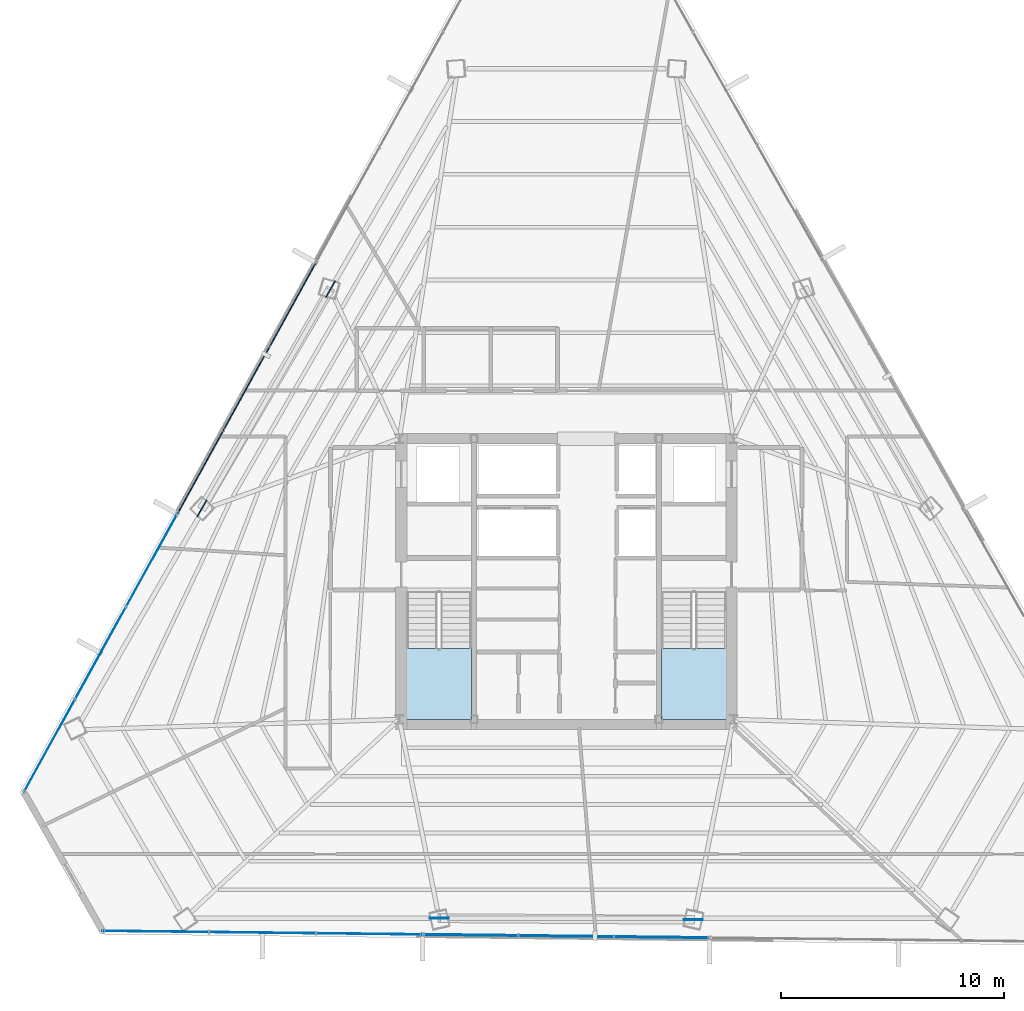
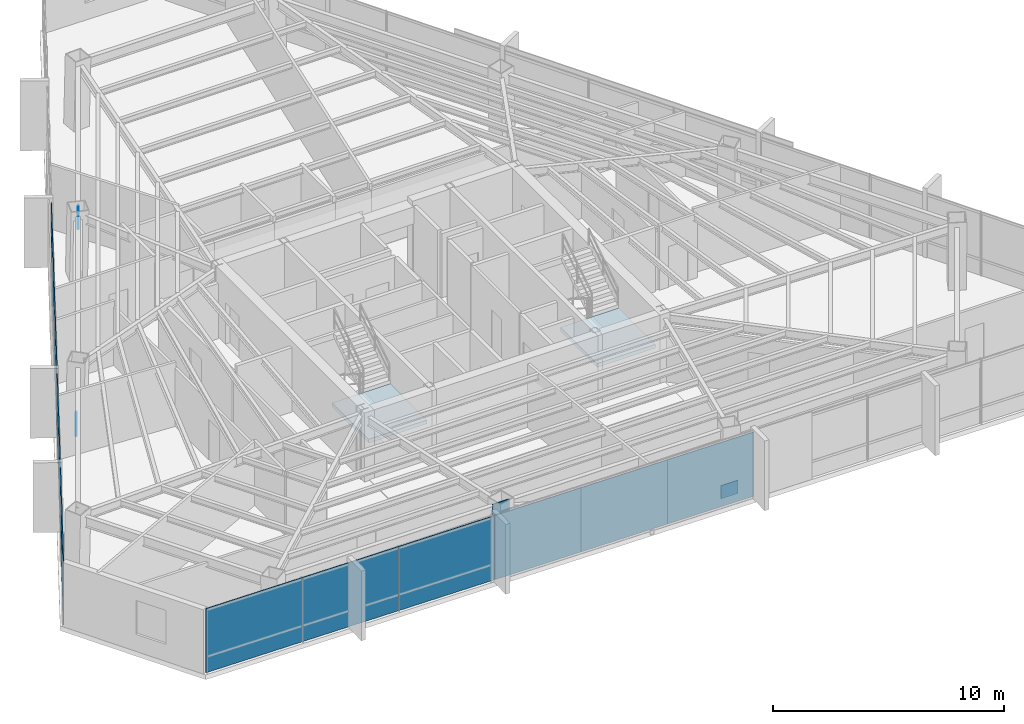
# One storey, part 33 of 41: 16 plates, 2 slabs, 6 elements without a shape of their own.
"""IFC4 building model written with IfcOpenShell, lengths in metres."""

from ifc_helpers import new_model, si_unit, direction, frame, origin, origin_2d, place, context, subcontext, project, spatial, polyline, rectangle, outline, extrude, source, transform, mapped, material, layer, layer_set, type_object, type_shapes, element, aggregate, save


model = new_model("IFC4")

# Units and contexts
model_context = context("Model", 3, precision=1e-05, world=origin(), true_north=direction((0.0, 1.0)))
body_context = subcontext(model_context, "Body", "Model", "MODEL_VIEW")
ifc_project = project(units=[si_unit("LENGTHUNIT", "METRE"), si_unit("AREAUNIT", "SQUARE_METRE"), si_unit("VOLUMEUNIT", "CUBIC_METRE"), si_unit("PLANEANGLEUNIT", "RADIAN"), si_unit("MASSUNIT", "GRAM", prefix="KILO")], contexts=[model_context])

# Site, building, storey
site_placement = place(None, origin())
site = spatial("IfcSite", under=ifc_project, at=site_placement, CompositionType="ELEMENT")
building_placement = place(site_placement, origin())
building = spatial("IfcBuilding", under=site, at=building_placement, Name="Caelisora Broadcast Tower", CompositionType="ELEMENT")
storey_placement = place(building_placement, frame((0.0, 0.0, 209.60009765625)))
storey = spatial("IfcBuildingStorey", under=building, at=storey_placement, Name="L55", CompositionType="ELEMENT", Elevation=209.60009765625)

# Stair, slab
ifc_material_1 = material(Name="Concrete 40 MPa (AS 3600 N40)", Category="concrete")
stair_type_1 = type_object("IfcStairType", Name="ST-1", PredefinedType="HALF_TURN_STAIR", material=ifc_material_1)
stair_1_placement = place(storey_placement, origin())
stair_1 = element("IfcStair", 1, at=stair_1_placement, inside=storey, type_object=stair_type_1, Name="L55 West Fire-Isolated Tower Stair", PredefinedType="HALF_TURN_STAIR")
ifc_layer_1 = layer(ifc_material_1, 0.199951171875, Name="Concrete 40 MPa (AS 3600 N40)")
ifc_layer_set_1 = layer_set([ifc_layer_1], Name="Concrete 40 MPa (AS 3600 N40)")
slab_type = type_object("IfcSlabType", Name="STL-1", PredefinedType="LANDING", material=ifc_layer_set_1)
slab_1_placement = place(storey_placement, frame((0.0, 0.0, 1.625)))
slab_1 = element("IfcSlab", 2, at=slab_1_placement, type_object=slab_type, Name="ST-1 landing 1", PredefinedType="LANDING", context=body_context, shape_type="SweptSolid", body=[
    extrude(outline(polyline([(30.820068359375, 20.580078125), (30.820068359375, 17.39990234375), (33.739990234375, 17.39990234375), (33.739990234375, 20.580078125), (30.820068359375, 20.580078125)])), origin(), (0.0, 0.0, 1.0), 0.199951171875),
])
aggregate(stair_1, [slab_1])

stair_type_2 = type_object("IfcStairType", Name="ST-2", PredefinedType="HALF_TURN_STAIR", material=ifc_material_1)
stair_2_placement = place(storey_placement, origin())
stair_2 = element("IfcStair", 3, at=stair_2_placement, inside=storey, type_object=stair_type_2, Name="L55 East Fire-Isolated Tower Stair", PredefinedType="HALF_TURN_STAIR")
slab_2_placement = place(storey_placement, frame((0.0, 0.0, 1.625)))
slab_2 = element("IfcSlab", 4, at=slab_2_placement, type_object=slab_type, Name="ST-2 landing 1", PredefinedType="LANDING", context=body_context, shape_type="SweptSolid", body=[
    extrude(outline(polyline([(42.260009765625, 20.580078125), (42.260009765625, 17.39990234375), (45.179931640625, 17.39990234375), (45.179931640625, 20.580078125), (42.260009765625, 20.580078125)])), origin(), (0.0, 0.0, 1.0), 0.199951171875),
])
aggregate(stair_2, [slab_2])

# Plates
ifc_material_2 = material(Name="Steel Grade 350 L15 (AS/NZS 3678)", Category="steel")
ifc_layer_2 = layer(ifc_material_2, 0.0400390625, Name="Steel Grade 350 L15 (AS/NZS 3678)")
ifc_layer_set_2 = layer_set([ifc_layer_2], Name="Steel Grade 350 L15 (AS/NZS 3678)")
plate_type_1 = type_object("IfcPlateType", Name="GP04", PredefinedType="USERDEFINED", material=ifc_layer_set_2)
shared_shape_1 = source(origin(), body_context, "Body", "SweptSolid", [
    extrude(rectangle(XDim=0.85009765625, YDim=0.0400390625, at=origin_2d()), origin(), (0.0, 0.0, 1.0), 0.699951171875),
])
type_shapes(plate_type_1, [shared_shape_1])
for number, where, z_axis, x_axis, name in (
    (5, (27.412353515625, 36.707275390625, 2.72998046875), (0.0, 0.0, 1.0), (-0.5, -0.866025403784, 0.0), "L55 gusset plate GP04 (ND-L55-C02T)"),
    (6, (21.64697265625, 26.865966796875, -0.22998046875), (0.0, 0.0, 1.0), (-0.5, -0.866025403784, 0.0), "L55 gusset plate GP04 (ND-L55-C03B)"),
    (7, (32.2890625, 8.477294921875, 2.72998046875), (0.0, 0.0, 1.0), (1.0, 0.0, 0.0), "L55 gusset plate GP04 (ND-L55-C06T)"),
    (8, (43.694580078125, 8.40478515625, -0.22998046875), (0.0, 0.0, 1.0), (1.0, 0.0, 0.0), "L55 gusset plate GP04 (ND-L55-C07B)"),
):
    element("IfcPlate", number, at=place(storey_placement, frame(where, z_axis=z_axis, x_axis=x_axis)), inside=storey, type_object=plate_type_1, Name=name, ObjectType="GUSSET PLATE", PredefinedType="USERDEFINED", context=body_context, shape_type="MappedRepresentation", body=[
        mapped(shared_shape_1, transform((0.0, 0.0, 0.0), scale=1.0)),
    ])

# Curtain wall, plates
ifc_material_3 = material(Name="Unitised Aluminium Insulated Shadow-Box Spandrel Curtain Wall", Category="aluminium")
curtain_wall_type_1 = type_object("IfcCurtainWallType", Name="CW-SP2", PredefinedType="NOTDEFINED", material=ifc_material_3)
curtain_wall_1_placement = place(storey_placement, origin())
curtain_wall_1 = element("IfcCurtainWall", 9, at=curtain_wall_1_placement, inside=storey, type_object=curtain_wall_type_1, Name="L55 curtain wall CW-SP2", PredefinedType="NOTDEFINED")
ifc_material_4 = material(Name="Insulated Terracotta Shadow-Box Spandrel Panel", Category="aluminium")
ifc_layer_3 = layer(ifc_material_4, 0.0439453125, Name="Insulated Terracotta Shadow-Box Spandrel Panel")
ifc_layer_set_3 = layer_set([ifc_layer_3], Name="Insulated Terracotta Shadow-Box Spandrel Panel")
plate_type_2 = type_object("IfcPlateType", Name="CWP-10", PredefinedType="CURTAIN_PANEL", material=ifc_layer_set_3)
shared_shape_2 = source(origin(), body_context, "Body", "SweptSolid", [
    extrude(rectangle(XDim=4.292724609375, YDim=0.0439453125, at=origin_2d()), origin(), (0.0, 0.0, 1.0), 3.39990234375),
])
plate_1_placement = place(storey_placement, frame((42.2841796875, 7.619140625, 0.0), z_axis=(0.0, 0.0, 1.0), x_axis=(-0.99993565026, 0.011344396795, 0.0)))
plate_1 = element("IfcPlate", 10, at=plate_1_placement, type_object=plate_type_2, Name="L55-CW-B06 spandrel panel #1", PredefinedType="CURTAIN_PANEL", context=body_context, shape_type="MappedRepresentation", body=[
    mapped(shared_shape_2, transform((0.0, 0.0, 0.0), scale=1.0)),
])
plate_2_placement = place(storey_placement, frame((37.99169921875, 7.668212890625, 0.0), z_axis=(0.0, 0.0, 1.0), x_axis=(-0.99993565026, 0.011344396795, 0.0)))
plate_2 = element("IfcPlate", 11, at=plate_2_placement, type_object=plate_type_2, Name="L55-CW-B06 spandrel panel #2", PredefinedType="CURTAIN_PANEL", context=body_context, shape_type="MappedRepresentation", body=[
    mapped(shared_shape_2, transform((0.0, 0.0, 0.0), scale=1.0)),
])
plate_3_placement = place(storey_placement, frame((33.69921875, 7.71728515625, 0.0), z_axis=(0.0, 0.0, 1.0), x_axis=(-0.99993565026, 0.011344396795, 0.0)))
plate_3 = element("IfcPlate", 12, at=plate_3_placement, type_object=plate_type_2, Name="L55-CW-B06 spandrel panel #3", PredefinedType="CURTAIN_PANEL", context=body_context, shape_type="MappedRepresentation", body=[
    mapped(shared_shape_2, transform((0.0, 0.0, 0.0), scale=1.0)),
])
aggregate(curtain_wall_1, [plate_1, plate_2, plate_3])

ifc_material_5 = material(Name="Unitised Aluminium and Low-E Glass Curtain Wall", Category="glass")
curtain_wall_type_2 = type_object("IfcCurtainWallType", Name="CW-Z4", PredefinedType="NOTDEFINED", material=ifc_material_5)
curtain_wall_2_placement = place(storey_placement, origin())
curtain_wall_2 = element("IfcCurtainWall", 13, at=curtain_wall_2_placement, inside=storey, type_object=curtain_wall_type_2, Name="L55 curtain wall CW-Z4", PredefinedType="NOTDEFINED")
ifc_material_6 = material(Name="Double Glazed Low-E Argon IGU", Category="glass")
ifc_layer_4 = layer(ifc_material_6, 0.030029296875, Name="Double Glazed Low-E Argon IGU")
ifc_layer_set_4 = layer_set([ifc_layer_4], Name="Double Glazed Low-E Argon IGU")
plate_type_3 = type_object("IfcPlateType", Name="CWP-05", PredefinedType="CURTAIN_PANEL", material=ifc_layer_set_4)
shared_shape_3 = source(origin(), body_context, "Body", "SweptSolid", [
    extrude(rectangle(XDim=4.788818359375, YDim=0.030029296875, at=origin_2d()), origin(), (0.0, 0.0, 1.0), 3.39990234375),
])
plate_4_placement = place(storey_placement, frame((29.148681640625, 7.769287109375, 0.0), z_axis=(0.0, 0.0, 1.0), x_axis=(-0.99993565026, 0.011344396795, 0.0)))
plate_4 = element("IfcPlate", 14, at=plate_4_placement, type_object=plate_type_3, Name="L55-CW-B07 glazed panel #1", PredefinedType="CURTAIN_PANEL", context=body_context, shape_type="MappedRepresentation", body=[
    mapped(shared_shape_3, transform((0.0, 0.0, 0.0), scale=1.0)),
])
plate_5_placement = place(storey_placement, frame((24.35986328125, 7.823974609375, 0.0), z_axis=(0.0, 0.0, 1.0), x_axis=(-0.99993565026, 0.011344396795, 0.0)))
plate_5 = element("IfcPlate", 15, at=plate_5_placement, type_object=plate_type_3, Name="L55-CW-B07 glazed panel #2", PredefinedType="CURTAIN_PANEL", context=body_context, shape_type="MappedRepresentation", body=[
    mapped(shared_shape_3, transform((0.0, 0.0, 0.0), scale=1.0)),
])
plate_6_placement = place(storey_placement, frame((19.5712890625, 7.878662109375, 0.0), z_axis=(0.0, 0.0, 1.0), x_axis=(-0.99993565026, 0.011344396795, 0.0)))
plate_6 = element("IfcPlate", 16, at=plate_6_placement, type_object=plate_type_3, Name="L55-CW-B07 glazed panel #3", PredefinedType="CURTAIN_PANEL", context=body_context, shape_type="MappedRepresentation", body=[
    mapped(shared_shape_3, transform((0.0, 0.0, 0.0), scale=1.0)),
])
aggregate(curtain_wall_2, [plate_4, plate_5, plate_6])

curtain_wall_3_placement = place(storey_placement, origin())
curtain_wall_3 = element("IfcCurtainWall", 17, at=curtain_wall_3_placement, inside=storey, type_object=curtain_wall_type_2, Name="L55 curtain wall CW-Z4", PredefinedType="NOTDEFINED")
shared_shape_4 = source(origin(), body_context, "Body", "SweptSolid", [
    extrude(rectangle(XDim=4.75244140625, YDim=0.030029296875, at=origin_2d()), origin(), (0.0, 0.0, 1.0), 3.39990234375),
])
type_shapes(plate_type_3, [shared_shape_3, shared_shape_4])
plate_7_placement = place(storey_placement, frame((14.7978515625, 16.212646484375, 0.0), z_axis=(0.0, 0.0, 1.0), x_axis=(0.482976759048, 0.875633171036, 0.0)))
plate_7 = element("IfcPlate", 18, at=plate_7_placement, type_object=plate_type_3, Name="L55-CW-B09 glazed panel #1", PredefinedType="CURTAIN_PANEL", context=body_context, shape_type="MappedRepresentation", body=[
    mapped(shared_shape_4, transform((0.0, 0.0, 0.0), scale=1.0)),
])
plate_8_placement = place(storey_placement, frame((17.09326171875, 20.3740234375, 0.0), z_axis=(0.0, 0.0, 1.0), x_axis=(0.482976759048, 0.875633171036, 0.0)))
plate_8 = element("IfcPlate", 19, at=plate_8_placement, type_object=plate_type_3, Name="L55-CW-B09 glazed panel #2", PredefinedType="CURTAIN_PANEL", context=body_context, shape_type="MappedRepresentation", body=[
    mapped(shared_shape_4, transform((0.0, 0.0, 0.0), scale=1.0)),
])
plate_9_placement = place(storey_placement, frame((19.388916015625, 24.535400390625, 0.0), z_axis=(0.0, 0.0, 1.0), x_axis=(0.482976759048, 0.875633171036, 0.0)))
plate_9 = element("IfcPlate", 20, at=plate_9_placement, type_object=plate_type_3, Name="L55-CW-B09 glazed panel #3", PredefinedType="CURTAIN_PANEL", context=body_context, shape_type="MappedRepresentation", body=[
    mapped(shared_shape_4, transform((0.0, 0.0, 0.0), scale=1.0)),
])
aggregate(curtain_wall_3, [plate_7, plate_8, plate_9])

curtain_wall_4_placement = place(storey_placement, origin())
curtain_wall_4 = element("IfcCurtainWall", 21, at=curtain_wall_4_placement, inside=storey, type_object=curtain_wall_type_1, Name="L55 curtain wall CW-SP2", PredefinedType="NOTDEFINED")
shared_shape_5 = source(origin(), body_context, "Body", "SweptSolid", [
    extrude(rectangle(XDim=4.292236328125, YDim=0.0439453125, at=origin_2d()), origin(), (0.0, 0.0, 1.0), 3.39990234375),
])
type_shapes(plate_type_2, [shared_shape_2, shared_shape_5])
plate_10_placement = place(storey_placement, frame((21.577880859375, 28.504150390625, 0.0), z_axis=(0.0, 0.0, 1.0), x_axis=(0.482976759048, 0.875633171036, 0.0)))
plate_10 = element("IfcPlate", 22, at=plate_10_placement, type_object=plate_type_2, Name="L55-CW-B10 spandrel panel #1", PredefinedType="CURTAIN_PANEL", context=body_context, shape_type="MappedRepresentation", body=[
    mapped(shared_shape_5, transform((0.0, 0.0, 0.0), scale=1.0)),
])
plate_11_placement = place(storey_placement, frame((23.651123046875, 32.2626953125, 0.0), z_axis=(0.0, 0.0, 1.0), x_axis=(0.482976759048, 0.875633171036, 0.0)))
plate_11 = element("IfcPlate", 23, at=plate_11_placement, type_object=plate_type_2, Name="L55-CW-B10 spandrel panel #2", PredefinedType="CURTAIN_PANEL", context=body_context, shape_type="MappedRepresentation", body=[
    mapped(shared_shape_5, transform((0.0, 0.0, 0.0), scale=1.0)),
])
plate_12_placement = place(storey_placement, frame((25.724365234375, 36.02099609375, 0.0), z_axis=(0.0, 0.0, 1.0), x_axis=(0.482976759048, 0.875633171036, 0.0)))
plate_12 = element("IfcPlate", 24, at=plate_12_placement, type_object=plate_type_2, Name="L55-CW-B10 spandrel panel #3", PredefinedType="CURTAIN_PANEL", context=body_context, shape_type="MappedRepresentation", body=[
    mapped(shared_shape_5, transform((0.0, 0.0, 0.0), scale=1.0)),
])
aggregate(curtain_wall_4, [plate_10, plate_11, plate_12])

save(model, "model.ifc")
